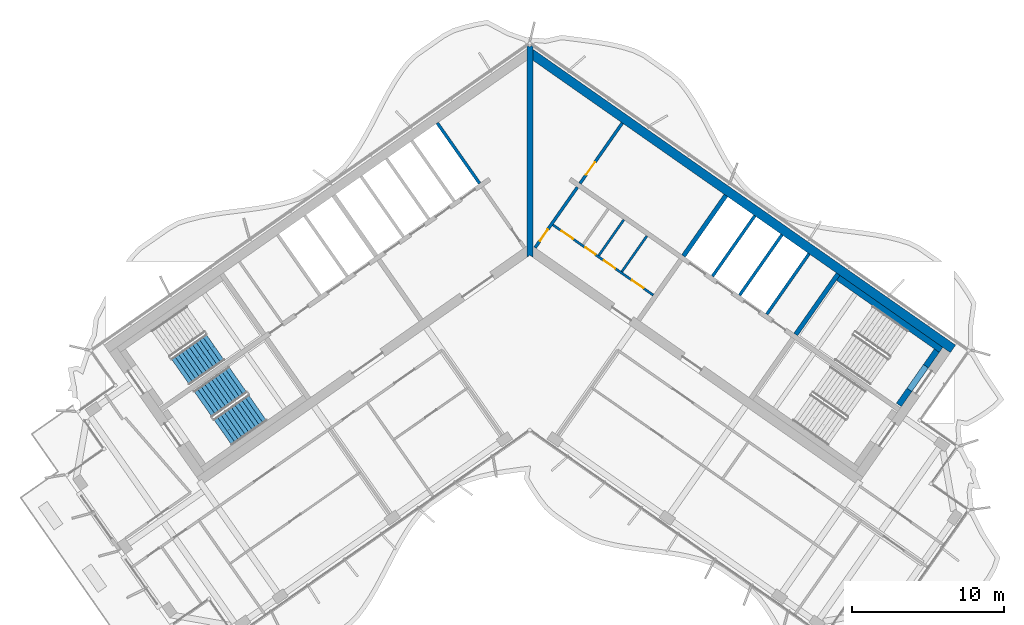
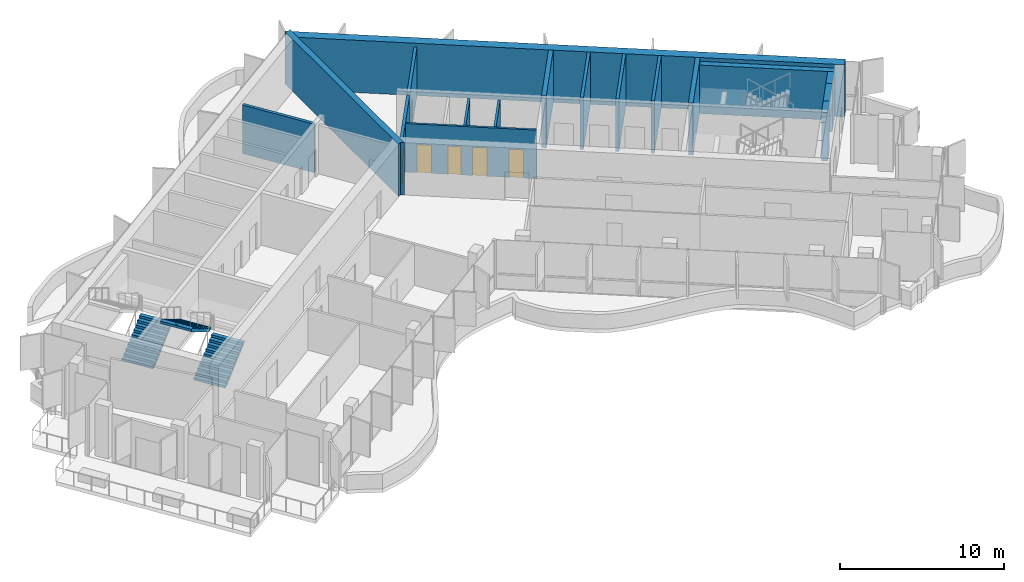
# One storey, part 11 of 18: 17 walls, 6 doors, 3 stair flights, 6 openings, 2 elements without a shape of their own.
"""IFC4 building model written with IfcOpenShell, lengths in metres."""

import ifcopenshell
import ifcopenshell.guid

model = None  # the IFC model being written
_history = None  # IfcOwnerHistory: only IFC2X3 demands one
_inside = {}  # id of a spatial element -> (the spatial element, [elements in it])
_under = {}  # id of a project, library or spatial element -> (it, [spatial elements below it])
_declared = {}  # id of a project -> (the project, [libraries it declares])
_typed = {}  # id of a type object -> (the type object, [elements of that type])
_made_of = {}  # id of a material, layer set ... -> (it, [elements and type objects made of it])


def new_model(schema):
    """Start an empty IFC model of exactly this schema.

    Asked for "IFC4X3", IfcOpenShell would pick the latest addendum, in which some entities
    have other attributes; the version numbers below select the first issue.
    IFC2X3 requires an IfcOwnerHistory on every rooted entity: one is made here for all.
    """
    global model, _history
    if schema == "IFC4X3":
        model = ifcopenshell.file(schema_version=(4, 3, 0, 0))
    else:
        model = ifcopenshell.file(schema=schema)
    _inside.clear()
    _under.clear()
    _declared.clear()
    _typed.clear()
    _made_of.clear()
    _history = None
    if model.schema == "IFC2X3":
        org = make("IfcOrganization", Name="unknown")
        user = make(
            "IfcPersonAndOrganization",
            ThePerson=make("IfcPerson", FamilyName="unknown"),
            TheOrganization=org,
        )
        app = make(
            "IfcApplication",
            ApplicationDeveloper=org,
            Version="unknown",
            ApplicationFullName="unknown",
            ApplicationIdentifier="unknown",
        )
        _history = make(
            "IfcOwnerHistory",
            OwningUser=user,
            OwningApplication=app,
            ChangeAction="ADDED",
            CreationDate=0,
        )
    return model


def make(cls, **values):
    """One entity of the class cls with the attributes given. An attribute that is None is left unset."""
    return model.create_entity(
        cls, **{name: value for name, value in values.items() if value is not None}
    )


def rooted(cls, **values):
    """An entity with a GlobalId (a new one), such as an element, a storey or a relation."""
    return make(cls, GlobalId=ifcopenshell.guid.new(), OwnerHistory=_history, **values)


def si_unit(unit_type, name, prefix=None):
    """IfcSIUnit, for example si_unit("LENGTHUNIT", "METRE", prefix="MILLI")."""
    return make("IfcSIUnit", UnitType=unit_type, Prefix=prefix, Name=name)


def assignment(units):
    """IfcUnitAssignment: the units of a project."""
    return None if units is None else make("IfcUnitAssignment", Units=units)


def point(xyz):
    """IfcCartesianPoint."""
    return None if xyz is None else make("IfcCartesianPoint", Coordinates=xyz)


def direction(xyz):
    """IfcDirection."""
    return None if xyz is None else make("IfcDirection", DirectionRatios=xyz)


def frame(location, z_axis=None, x_axis=None):
    """IfcAxis2Placement3D, a coordinate frame: its origin and axes. An axis left out is left unset."""
    return make(
        "IfcAxis2Placement3D",
        Location=point(location),
        Axis=direction(z_axis),
        RefDirection=direction(x_axis),
    )


def frame_2d(location, x_axis=None):
    """IfcAxis2Placement2D, a coordinate frame in the plane: its origin and x axis."""
    return make(
        "IfcAxis2Placement2D", Location=point(location), RefDirection=direction(x_axis)
    )


def origin():
    """The frame at (0, 0, 0) with its axes left unset."""
    return frame((0.0, 0.0, 0.0))


def place(relative_to, where):
    """IfcLocalPlacement: puts the frame where relative to a parent placement (None: the world)."""
    return make(
        "IfcLocalPlacement", PlacementRelTo=relative_to, RelativePlacement=where
    )


def context(
    kind, dimensions, precision=None, world=None, true_north=None, identifier=None
):
    """IfcGeometricRepresentationContext, for example the 3D "Model" context."""
    return make(
        "IfcGeometricRepresentationContext",
        ContextIdentifier=identifier,
        ContextType=kind,
        CoordinateSpaceDimension=dimensions,
        Precision=precision,
        WorldCoordinateSystem=world,
        TrueNorth=true_north,
    )


def subcontext(parent, identifier, kind, view, scale=None):
    """IfcGeometricRepresentationSubContext, for example "Body" below "Model"."""
    return make(
        "IfcGeometricRepresentationSubContext",
        ContextIdentifier=identifier,
        ContextType=kind,
        ParentContext=parent,
        TargetScale=scale,
        TargetView=view,
    )


def project(units=None, contexts=None):
    """IfcProject with its units and contexts."""
    return rooted(
        "IfcProject",
        Name="project",
        RepresentationContexts=contexts,
        UnitsInContext=assignment(units),
    )


def spatial(cls, under=None, at=None, **own):
    """A site, building, storey or space (cls), placed at a placement, below another one or the project."""
    s = rooted(cls, ObjectPlacement=at, **own)
    if under is not None:
        _under.setdefault(under.id(), (under, []))[1].append(s)
    return s


def polyline(points):
    """IfcPolyline through the points."""
    return make("IfcPolyline", Points=[point(p) for p in points])


def profile(cls, at=None, kind="AREA", **sizes):
    """A parametric profile (cls). Its sizes go by their IFC names, for example OverallWidth=200.0."""
    return make(cls, ProfileType=kind, Position=at, **sizes)


def rectangle(**sizes):
    """IfcRectangleProfileDef."""
    return profile("IfcRectangleProfileDef", **sizes)


def outline(outer, holes=None, kind="AREA"):
    """IfcArbitraryClosedProfileDef: a profile drawn as a closed curve; with holes, ...WithVoids."""
    if holes is None:
        return make("IfcArbitraryClosedProfileDef", ProfileType=kind, OuterCurve=outer)
    return make(
        "IfcArbitraryProfileDefWithVoids",
        ProfileType=kind,
        OuterCurve=outer,
        InnerCurves=holes,
    )


def extrude(swept, where, along, depth):
    """IfcExtrudedAreaSolid: the profile swept, set in the frame where, extruded along a direction by depth."""
    return make(
        "IfcExtrudedAreaSolid",
        SweptArea=swept,
        Position=where,
        ExtrudedDirection=direction(along),
        Depth=depth,
    )


def shape(context_of_items, identifier, shape_type, items):
    """IfcShapeRepresentation: the items that make up one representation, for example the "Body"."""
    return make(
        "IfcShapeRepresentation",
        ContextOfItems=context_of_items,
        RepresentationIdentifier=identifier,
        RepresentationType=shape_type,
        Items=items,
    )


def material(Name=None, Category=None):
    """IfcMaterial."""
    return make("IfcMaterial", Name=Name, Category=Category)


def layer(
    of_material, thickness, ventilated=None, Name=None, Category=None, Priority=None
):
    """IfcMaterialLayer: one layer of a wall or slab, of a material (None: an air gap)."""
    return make(
        "IfcMaterialLayer",
        Material=of_material,
        LayerThickness=thickness,
        IsVentilated=ventilated,
        Name=Name,
        Category=Category,
        Priority=Priority,
    )


def layer_set(layers, Name=None):
    """IfcMaterialLayerSet."""
    return make("IfcMaterialLayerSet", MaterialLayers=layers, LayerSetName=Name)


def made_of(thing, what):
    """Note that an element or type object is made of a material, layer set ...; save() writes the relation."""
    if what is not None:
        _made_of.setdefault(what.id(), (what, []))[1].append(thing)
    return thing


def type_object(cls, material=None, **own):
    """A type object (cls), such as IfcWallType, which elements share."""
    return made_of(rooted(cls, **own), material)


def element(
    cls,
    number,
    at=None,
    inside=None,
    cuts=None,
    type_object=None,
    material=None,
    context=None,
    identifier="Body",
    shape_type=None,
    held_by="IfcProductDefinitionShape",
    body=None,
    shapes=None,
    **own,
):
    """One element of the class cls, such as IfcWall. Its Tag is "e" and its number.

    at: its placement. inside: the storey or other place that contains it. cuts: it is an
    opening in that element (IfcRelVoidsElement). A single representation is given by context,
    identifier, shape_type and body (its items); several are given by shapes. held_by: the class
    of the entity that holds the representations. save() writes the other relations.
    """
    e = rooted(cls, Tag="e%d" % number, ObjectPlacement=at, **own)
    if body is not None:
        shapes = [shape(context, identifier, shape_type, body)]
    if shapes is not None:
        e.Representation = make(held_by, Representations=shapes)
    if inside is not None:
        _inside.setdefault(inside.id(), (inside, []))[1].append(e)
    if cuts is not None:
        rooted(
            "IfcRelVoidsElement", RelatingBuildingElement=cuts, RelatedOpeningElement=e
        )
    if type_object is not None:
        _typed.setdefault(type_object.id(), (type_object, []))[1].append(e)
    return made_of(e, material)


def fill(opening, filler):
    """IfcRelFillsElement: the door or window that sits in an opening."""
    return rooted(
        "IfcRelFillsElement",
        RelatingOpeningElement=opening,
        RelatedBuildingElement=filler,
    )


def aggregate(whole, parts):
    """IfcRelAggregates: a whole, such as a stair, and the parts it consists of."""
    return rooted("IfcRelAggregates", RelatingObject=whole, RelatedObjects=parts)


def save(model, path):
    """Write the relations noted so far, then the file.

    IfcRelAggregates (storeys below a building ...), IfcRelContainedInSpatialStructure (elements
    in a storey), IfcRelDefinesByType, IfcRelAssociatesMaterial and IfcRelDeclares: one each for
    every whole, place, type object, material and project.
    """
    for whole, parts in _under.values():
        aggregate(whole, parts)
    for where, things in _inside.values():
        rooted(
            "IfcRelContainedInSpatialStructure",
            RelatedElements=things,
            RelatingStructure=where,
        )
    for kind, things in _typed.values():
        rooted("IfcRelDefinesByType", RelatedObjects=things, RelatingType=kind)
    for what, things in _made_of.values():
        rooted("IfcRelAssociatesMaterial", RelatedObjects=things, RelatingMaterial=what)
    for by, libraries in _declared.values():
        rooted("IfcRelDeclares", RelatingContext=by, RelatedDefinitions=libraries)
    model.write(path)


model = new_model("IFC4")

# Units and contexts
model_context = context("Model", 3, precision=1e-05, world=origin(), true_north=direction((0.0, 1.0)))
body_context = subcontext(model_context, "Body", "Model", "MODEL_VIEW")
ifc_project = project(units=[si_unit("LENGTHUNIT", "METRE"), si_unit("AREAUNIT", "SQUARE_METRE"), si_unit("VOLUMEUNIT", "CUBIC_METRE"), si_unit("PLANEANGLEUNIT", "RADIAN"), si_unit("MASSUNIT", "GRAM", prefix="KILO")], contexts=[model_context])

# Site, building, storey
site_placement = place(None, origin())
site = spatial("IfcSite", under=ifc_project, at=site_placement, CompositionType="ELEMENT")
building_placement = place(site_placement, origin())
building = spatial("IfcBuilding", under=site, at=building_placement, Name="Tel Ilan Convention Tower", CompositionType="ELEMENT")
storey_placement = place(building_placement, frame((0.0, 0.0, 295.60009765625)))
storey = spatial("IfcBuildingStorey", under=building, at=storey_placement, Name="L70", CompositionType="ELEMENT", Elevation=295.60009765625)

# Wall, openings, doors
ifc_material_1 = material(Name="Gypsum Plasterboard on Steel Stud", Category="steel")
ifc_layer_1 = layer(ifc_material_1, 0.14990234375)
ifc_layer_set_1 = layer_set([ifc_layer_1], Name="Core Room Partition Wall 150 mm EI 60")
wall_type_1 = type_object("IfcWallType", Name="Core Room Partition Wall 150 mm EI 60", PredefinedType="PARTITIONING", material=ifc_layer_set_1)
wall_1_placement = place(storey_placement, frame((1.515625, 0.77001953125, 0.0), z_axis=(0.0, 0.0, 1.0), x_axis=(0.819146424436, -0.573584462249, 0.0)))
wall_1 = element("IfcWall", 1, at=wall_1_placement, inside=storey, type_object=wall_type_1, Name="L70 core wall wc-h1", PredefinedType="PARTITIONING", context=body_context, shape_type="SweptSolid", body=[
    extrude(rectangle(XDim=8.050048828125, YDim=0.14990234375, at=frame_2d((4.02490234375, 0.0))), origin(), (0.0, 0.0, 1.0), 3.619873046875),
])
opening_1_placement = place(wall_1_placement, frame((0.699951171875, 0.0, 0.0)))
opening_1 = element("IfcOpeningElement", 2, at=opening_1_placement, cuts=wall_1, Name="Opening CD5313", PredefinedType="OPENING", context=body_context, shape_type="SweptSolid", body=[
    extrude(rectangle(XDim=0.89990234375, YDim=2.10009765625, at=frame_2d((0.449951171875, 1.050048828125))), frame((0.0, 0.0849609375, 0.0), z_axis=(0.0, -1.0, 0.0), x_axis=(1.0, 0.0, 0.0)), (0.0, 0.0, 1.0), 0.169921875),
])
opening_2_placement = place(wall_1_placement, frame((2.60009765625, 0.0, 0.0)))
opening_2 = element("IfcOpeningElement", 3, at=opening_2_placement, cuts=wall_1, Name="Opening CD5312", PredefinedType="OPENING", context=body_context, shape_type="SweptSolid", body=[
    extrude(rectangle(XDim=0.800048828125, YDim=2.10009765625, at=frame_2d((0.39990234375, 1.050048828125))), frame((0.0, 0.0849609375, 0.0), z_axis=(0.0, -1.0, 0.0), x_axis=(1.0, 0.0, 0.0)), (0.0, 0.0, 1.0), 0.169921875),
])
opening_3_placement = place(wall_1_placement, frame((4.10009765625, 0.0, 0.0)))
opening_3 = element("IfcOpeningElement", 4, at=opening_3_placement, cuts=wall_1, Name="Opening CD5311", PredefinedType="OPENING", context=body_context, shape_type="SweptSolid", body=[
    extrude(rectangle(XDim=0.89990234375, YDim=2.10009765625, at=frame_2d((0.449951171875, 1.050048828125))), frame((0.0, 0.0849609375, 0.0), z_axis=(0.0, -1.0, 0.0), x_axis=(1.0, 0.0, 0.0)), (0.0, 0.0, 1.0), 0.169921875),
])
opening_4_placement = place(wall_1_placement, frame((6.35009765625, 0.0, 0.0)))
opening_4 = element("IfcOpeningElement", 5, at=opening_4_placement, cuts=wall_1, Name="Opening CD5314", PredefinedType="OPENING", context=body_context, shape_type="SweptSolid", body=[
    extrude(rectangle(XDim=0.89990234375, YDim=2.10009765625, at=frame_2d((0.449951171875, 1.050048828125))), frame((0.0, 0.0849609375, 0.0), z_axis=(0.0, -1.0, 0.0), x_axis=(1.0, 0.0, 0.0)), (0.0, 0.0, 1.0), 0.169921875),
])
ifc_material_2 = material(Name="Galvanised Steel Door Leaf", Category="steel")
door_type_1 = type_object("IfcDoorType", Name="Store Door 800 x 2100 FD60", OperationType="NOTDEFINED", PredefinedType="DOOR", material=ifc_material_2)
door_1_placement = place(opening_2_placement, origin())
door_1 = element("IfcDoor", 6, at=door_1_placement, inside=storey, type_object=door_type_1, Name="Cleaner's store door", OperationType="SINGLE_SWING_RIGHT", OverallHeight=2.10009765625, OverallWidth=0.800048828125, PredefinedType="DOOR", context=body_context, shape_type="SweptSolid", body=[
    extrude(rectangle(XDim=0.800048828125, YDim=2.10009765625, at=frame_2d((0.39990234375, 1.050048828125))), frame((0.0, 0.02490234375, 0.0), z_axis=(0.0, -1.0, 0.0), x_axis=(1.0, 0.0, 0.0)), (0.0, 0.0, 1.0), 0.050048828125),
])
fill(opening_2, door_1)
ifc_material_3 = material(Name="Laminated Timber Door Leaf", Category="wood")
door_type_2 = type_object("IfcDoorType", Name="Toilet Door 900 x 2100 FD30S", OperationType="NOTDEFINED", PredefinedType="DOOR", material=ifc_material_3)
door_2_placement = place(opening_1_placement, origin())
door_2 = element("IfcDoor", 7, at=door_2_placement, inside=storey, type_object=door_type_2, Name="Men's WC door", OperationType="SINGLE_SWING_RIGHT", OverallHeight=2.10009765625, OverallWidth=0.89990234375, PredefinedType="DOOR", context=body_context, shape_type="SweptSolid", body=[
    extrude(rectangle(XDim=0.89990234375, YDim=2.10009765625, at=frame_2d((0.449951171875, 1.050048828125))), frame((0.0, 0.02490234375, 0.0), z_axis=(0.0, -1.0, 0.0), x_axis=(1.0, 0.0, 0.0)), (0.0, 0.0, 1.0), 0.050048828125),
])
fill(opening_1, door_2)
door_3_placement = place(opening_3_placement, origin())
door_3 = element("IfcDoor", 8, at=door_3_placement, inside=storey, type_object=door_type_2, Name="Accessible WC door", OperationType="SINGLE_SWING_RIGHT", OverallHeight=2.10009765625, OverallWidth=0.89990234375, PredefinedType="DOOR", context=body_context, shape_type="SweptSolid", body=[
    extrude(rectangle(XDim=0.89990234375, YDim=2.10009765625, at=frame_2d((0.449951171875, 1.050048828125))), frame((0.0, 0.02490234375, 0.0), z_axis=(0.0, -1.0, 0.0), x_axis=(1.0, 0.0, 0.0)), (0.0, 0.0, 1.0), 0.050048828125),
])
fill(opening_3, door_3)
door_4_placement = place(opening_4_placement, origin())
door_4 = element("IfcDoor", 9, at=door_4_placement, inside=storey, type_object=door_type_2, Name="Women's WC door", OperationType="SINGLE_SWING_RIGHT", OverallHeight=2.10009765625, OverallWidth=0.89990234375, PredefinedType="DOOR", context=body_context, shape_type="SweptSolid", body=[
    extrude(rectangle(XDim=0.89990234375, YDim=2.10009765625, at=frame_2d((0.449951171875, 1.050048828125))), frame((0.0, 0.02490234375, 0.0), z_axis=(0.0, -1.0, 0.0), x_axis=(1.0, 0.0, 0.0)), (0.0, 0.0, 1.0), 0.050048828125),
])
fill(opening_4, door_4)

# Walls
wall_2_placement = place(storey_placement, frame((4.528076171875, -1.247802734375, 0.0), z_axis=(0.0, 0.0, 1.0), x_axis=(0.573621911162, 0.819120200602, 0.0)))
element("IfcWall", 10, at=wall_2_placement, inside=storey, type_object=wall_type_1, Name="L70 core wall wc-v1", PredefinedType="PARTITIONING", context=body_context, shape_type="SweptSolid", body=[
    extrude(rectangle(XDim=2.875, YDim=0.14990234375, at=frame_2d((1.4375, 0.0))), origin(), (0.0, 0.0, 1.0), 3.619873046875),
])
wall_3_placement = place(storey_placement, frame((6.043701171875, -2.30908203125, 0.0), z_axis=(0.0, 0.0, 1.0), x_axis=(0.573564930514, 0.819160100642, 0.0)))
element("IfcWall", 11, at=wall_3_placement, inside=storey, type_object=wall_type_1, Name="L70 core wall wc-v2", PredefinedType="PARTITIONING", context=body_context, shape_type="SweptSolid", body=[
    extrude(rectangle(XDim=2.874755859375, YDim=0.14990234375, at=frame_2d((1.4375, 0.0))), origin(), (0.0, 0.0, 1.0), 3.619873046875),
])
ifc_material_4 = material(Name="Concrete C30/37", Category="concrete")
ifc_layer_2 = layer(ifc_material_4, 0.199951171875)
ifc_layer_set_2 = layer_set([ifc_layer_2], Name="Core Service Room Wall 200 mm C30/37")
wall_type_2 = type_object("IfcWallType", Name="Core Service Room Wall 200 mm C30/37", PredefinedType="SOLIDWALL", material=ifc_layer_set_2)
wall_4_placement = place(storey_placement, frame((-3.2978515625, 3.489501953125, 0.0), z_axis=(0.0, 0.0, 1.0), x_axis=(-0.573560315113, 0.819163332265, 0.0)))
element("IfcWall", 12, at=wall_4_placement, inside=storey, type_object=wall_type_2, Name="L70 core wall apex-W-b", PredefinedType="SOLIDWALL", context=body_context, shape_type="SweptSolid", body=[
    extrude(rectangle(XDim=4.849853515625, YDim=0.199951171875, at=frame_2d((2.4248046875, 0.0))), origin(), (0.0, 0.0, 1.0), 3.619873046875),
])

# Wall, opening, door
wall_5_placement = place(storey_placement, frame((0.343994140625, -0.729248046875, 0.0), z_axis=(0.0, 0.0, 1.0), x_axis=(0.573560315113, 0.819163332265, 0.0)))
wall_5 = element("IfcWall", 13, at=wall_5_placement, inside=storey, type_object=wall_type_2, Name="L70 core wall apex-E", PredefinedType="SOLIDWALL", context=body_context, shape_type="SweptSolid", body=[
    extrude(rectangle(XDim=4.849853515625, YDim=0.199951171875, at=frame_2d((2.4248046875, 0.0))), origin(), (0.0, 0.0, 1.0), 3.619873046875),
])
opening_5_placement = place(wall_5_placement, frame((0.550048828125, 0.0, 0.0)))
opening_5 = element("IfcOpeningElement", 14, at=opening_5_placement, cuts=wall_5, Name="Opening CD5301", PredefinedType="OPENING", context=body_context, shape_type="SweptSolid", body=[
    extrude(rectangle(XDim=0.89990234375, YDim=2.10009765625, at=frame_2d((0.449951171875, 1.050048828125))), frame((0.0, 0.10986328125, 0.0), z_axis=(0.0, -1.0, 0.0), x_axis=(1.0, 0.0, 0.0)), (0.0, 0.0, 1.0), 0.219970703125),
])
ifc_material_5 = material(Name="Galvanised Steel Door Leaf", Category="steel")
door_type_3 = type_object("IfcDoorType", Name="Service Room Door 900 x 2100 FD60", OperationType="NOTDEFINED", PredefinedType="DOOR", material=ifc_material_5)
door_5_placement = place(opening_5_placement, origin())
door_5 = element("IfcDoor", 15, at=door_5_placement, inside=storey, type_object=door_type_3, Name="Electrical Room door", OperationType="SINGLE_SWING_RIGHT", OverallHeight=2.10009765625, OverallWidth=0.89990234375, PredefinedType="DOOR", context=body_context, shape_type="SweptSolid", body=[
    extrude(rectangle(XDim=0.89990234375, YDim=2.10009765625, at=frame_2d((0.449951171875, 1.050048828125))), frame((0.0, 0.02490234375, 0.0), z_axis=(0.0, -1.0, 0.0), x_axis=(1.0, 0.0, 0.0)), (0.0, 0.0, 1.0), 0.050048828125),
])
fill(opening_5, door_5)

wall_6_placement = place(storey_placement, frame((3.2978515625, 3.489501953125, 0.0), z_axis=(0.0, 0.0, 1.0), x_axis=(0.573560315113, 0.819163332265, 0.0)))
wall_6 = element("IfcWall", 16, at=wall_6_placement, inside=storey, type_object=wall_type_2, Name="L70 core wall apex-E-b", PredefinedType="SOLIDWALL", context=body_context, shape_type="SweptSolid", body=[
    extrude(rectangle(XDim=4.849853515625, YDim=0.199951171875, at=frame_2d((2.4248046875, 0.0))), origin(), (0.0, 0.0, 1.0), 3.619873046875),
])
opening_6_placement = place(wall_6_placement, frame((0.699951171875, 0.0, 0.0)))
opening_6 = element("IfcOpeningElement", 17, at=opening_6_placement, cuts=wall_6, Name="Opening CD5303", PredefinedType="OPENING", context=body_context, shape_type="SweptSolid", body=[
    extrude(rectangle(XDim=1.0, YDim=2.10009765625, at=frame_2d((0.5, 1.050048828125))), frame((0.0, 0.10986328125, 0.0), z_axis=(0.0, -1.0, 0.0), x_axis=(1.0, 0.0, 0.0)), (0.0, 0.0, 1.0), 0.219970703125),
])
ifc_material_6 = material(Name="Galvanised Steel Door Leaf", Category="steel")
door_type_4 = type_object("IfcDoorType", Name="Service Room Door 1000 x 2100 FD60", OperationType="NOTDEFINED", PredefinedType="DOOR", material=ifc_material_6)
door_6_placement = place(opening_6_placement, origin())
door_6 = element("IfcDoor", 18, at=door_6_placement, inside=storey, type_object=door_type_4, Name="Plant Room door", OperationType="SINGLE_SWING_RIGHT", OverallHeight=2.10009765625, OverallWidth=1.0, PredefinedType="DOOR", context=body_context, shape_type="SweptSolid", body=[
    extrude(rectangle(XDim=1.0, YDim=2.10009765625, at=frame_2d((0.5, 1.050048828125))), frame((0.0, 0.02490234375, 0.0), z_axis=(0.0, -1.0, 0.0), x_axis=(1.0, 0.0, 0.0)), (0.0, 0.0, 1.0), 0.050048828125),
])
fill(opening_6, door_6)

# Walls
ifc_material_7 = material(Name="Concrete C40/50", Category="concrete")
ifc_layer_3 = layer(ifc_material_7, 0.300048828125)
ifc_layer_set_3 = layer_set([ifc_layer_3], Name="Core Shear Wall 300 mm C40/50")
wall_type_3 = type_object("IfcWallType", Name="Core Shear Wall 300 mm C40/50", PredefinedType="SHEAR", material=ifc_layer_set_3)
wall_7_placement = place(storey_placement, frame((10.096923828125, -1.271240234375, 0.0), z_axis=(0.0, 0.0, 1.0), x_axis=(0.573560315113, 0.819163332265, 0.0)))
element("IfcWall", 19, at=wall_7_placement, inside=storey, type_object=wall_type_3, Name="L70 core wall E-cross1-2", PredefinedType="SHEAR", context=body_context, shape_type="SweptSolid", body=[
    extrude(outline(polyline([(4.849853515625, -0.150146484375), (4.849853515625, 0.14990234375), (0.0, 0.150146484375), (0.0, -0.14990234375), (4.849853515625, -0.150146484375)])), origin(), (0.0, 0.0, 1.0), 3.89990234375),
])
wall_8_placement = place(storey_placement, frame((17.46923828125, -6.433349609375, 0.0), z_axis=(0.0, 0.0, 1.0), x_axis=(0.573594092424, 0.81913968109, 0.0)))
element("IfcWall", 20, at=wall_8_placement, inside=storey, type_object=wall_type_3, Name="L70 core wall E-cross2-2", PredefinedType="SHEAR", context=body_context, shape_type="SweptSolid", body=[
    extrude(outline(polyline([(4.849853515625, -0.14990234375), (4.849853515625, 0.150146484375), (0.0, 0.14990234375), (0.0, -0.14990234375), (4.849853515625, -0.14990234375)])), origin(), (0.0, 0.0, 1.0), 3.89990234375),
])
ifc_material_8 = material(Name="Concrete C40/50", Category="concrete")
ifc_layer_4 = layer(ifc_material_8, 0.39990234375)
ifc_layer_set_4 = layer_set([ifc_layer_4], Name="Core Shear Wall 400 mm C40/50")
wall_type_4 = type_object("IfcWallType", Name="Core Shear Wall 400 mm C40/50", PredefinedType="SHEAR", material=ifc_layer_set_4)
wall_9_placement = place(storey_placement, frame((0.0, -1.36083984375, 0.0), z_axis=(0.0, 0.0, 1.0), x_axis=(0.0, 1.0, 0.0)))
element("IfcWall", 21, at=wall_9_placement, inside=storey, type_object=wall_type_4, Name="L70 core wall K-central", PredefinedType="SHEAR", context=body_context, shape_type="SweptSolid", body=[
    extrude(outline(polyline([(0.14013671875, 0.199951171875), (0.0, 0.199951171875), (0.14013671875, 0.0), (0.0, -0.199951171875), (0.14013671875, -0.199951171875), (1.012451171875, -0.199951171875), (12.940185546875, -0.199951171875), (13.812744140625, -0.199951171875), (13.893310546875, -0.199951171875), (13.933349609375, -0.172119140625), (13.812744140625, 0.0), (13.933349609375, 0.172119140625), (13.893310546875, 0.199951171875), (13.812744140625, 0.199951171875), (12.940185546875, 0.199951171875), (1.012451171875, 0.199951171875), (0.14013671875, 0.199951171875)])), origin(), (0.0, 0.0, 1.0), 3.89990234375),
])
ifc_material_9 = material(Name="Concrete C40/50", Category="concrete")
ifc_layer_5 = layer(ifc_material_9, 0.60009765625)
ifc_layer_set_5 = layer_set([ifc_layer_5], Name="Core Shear Wall 600 mm C40/50")
wall_type_5 = type_object("IfcWallType", Name="Core Shear Wall 600 mm C40/50", PredefinedType="SHEAR", material=ifc_layer_set_5)
wall_10_placement = place(storey_placement, frame((0.02783203125, 12.066162109375, 0.0), z_axis=(0.0, 0.0, 1.0), x_axis=(0.819151382952, -0.573577380837, 0.0)))
element("IfcWall", 22, at=wall_10_placement, inside=storey, type_object=wall_type_5, Name="L70 core wall E-back", PredefinedType="SHEAR", context=body_context, shape_type="SweptSolid", body=[
    extrude(outline(polyline([(33.898193359375, 0.300048828125), (0.0, 0.300048828125), (0.420166015625, -0.300048828125), (33.89794921875, -0.300048828125), (33.898193359375, 0.300048828125)])), origin(), (0.0, 0.0, 1.0), 3.89990234375),
])
ifc_material_10 = material(Name="Concrete C30/37", Category="concrete")
ifc_layer_6 = layer(ifc_material_10, 0.199951171875)
ifc_layer_set_6 = layer_set([ifc_layer_6], Name="Lift Shaft Wall 200 mm C30/37")
wall_type_6 = type_object("IfcWallType", Name="Lift Shaft Wall 200 mm C30/37", PredefinedType="SOLIDWALL", material=ifc_layer_set_6)
wall_11_placement = place(storey_placement, frame((12.00146484375, -2.604736328125, 0.0), z_axis=(0.0, 0.0, 1.0), x_axis=(0.573560315113, 0.819163332265, 0.0)))
element("IfcWall", 23, at=wall_11_placement, inside=storey, type_object=wall_type_6, Name="L70 core wall bank-E2-p0", PredefinedType="SOLIDWALL", context=body_context, shape_type="SweptSolid", body=[
    extrude(rectangle(XDim=4.849853515625, YDim=0.199951171875, at=frame_2d((2.4248046875, 0.0))), origin(), (0.0, 0.0, 1.0), 3.89990234375),
])
wall_12_placement = place(storey_placement, frame((13.782958984375, -3.852294921875, 0.0), z_axis=(0.0, 0.0, 1.0), x_axis=(0.573594092424, 0.81913968109, 0.0)))
element("IfcWall", 24, at=wall_12_placement, inside=storey, type_object=wall_type_6, Name="L70 core wall bank-E2-p1", PredefinedType="SOLIDWALL", context=body_context, shape_type="SweptSolid", body=[
    extrude(rectangle(XDim=4.85009765625, YDim=0.199951171875, at=frame_2d((2.425048828125, 0.0))), origin(), (0.0, 0.0, 1.0), 3.89990234375),
])
wall_13_placement = place(storey_placement, frame((15.564697265625, -5.099853515625, 0.0), z_axis=(0.0, 0.0, 1.0), x_axis=(0.573560315113, 0.819163332265, 0.0)))
element("IfcWall", 25, at=wall_13_placement, inside=storey, type_object=wall_type_6, Name="L70 core wall bank-E2-p2", PredefinedType="SOLIDWALL", context=body_context, shape_type="SweptSolid", body=[
    extrude(rectangle(XDim=4.849853515625, YDim=0.199951171875, at=frame_2d((2.4248046875, 0.0))), origin(), (0.0, 0.0, 1.0), 3.89990234375),
])
ifc_material_11 = material(Name="Concrete C30/37", Category="concrete")
ifc_layer_7 = layer(ifc_material_11, 0.39990234375)
ifc_layer_set_7 = layer_set([ifc_layer_7], Name="Stair and Shaft Lining Wall 400 mm C30/37")
wall_type_7 = type_object("IfcWallType", Name="Stair and Shaft Lining Wall 400 mm C30/37", PredefinedType="SOLIDWALL", material=ifc_layer_set_7)
wall_14_placement = place(storey_placement, frame((20.25927734375, -2.71044921875, 0.0), z_axis=(0.0, 0.0, 1.0), x_axis=(0.81914849389, -0.573581506813, 0.0)))
element("IfcWall", 26, at=wall_14_placement, inside=storey, type_object=wall_type_7, Name="L70 core wall lining-S3-t1", PredefinedType="SOLIDWALL", context=body_context, shape_type="SweptSolid", body=[
    extrude(rectangle(XDim=8.249755859375, YDim=0.39990234375, at=frame_2d((4.125, 0.0))), origin(), (0.0, 0.0, 1.0), 3.619873046875),
])
wall_15_placement = place(storey_placement, frame((24.24365234375, -11.0546875, 0.0), z_axis=(0.0, 0.0, 1.0), x_axis=(0.573571582932, 0.819155442668, 0.0)))
element("IfcWall", 27, at=wall_15_placement, inside=storey, type_object=wall_type_7, Name="L70 core wall lining-S3-u1-0", PredefinedType="SOLIDWALL", context=body_context, shape_type="SweptSolid", body=[
    extrude(rectangle(XDim=1.199951171875, YDim=0.39990234375, at=frame_2d((0.60009765625, 0.0))), origin(), (0.0, 0.0, 1.0), 3.619873046875),
])
wall_16_placement = place(storey_placement, frame((26.021728515625, -8.515380859375, 0.0), z_axis=(0.0, 0.0, 1.0), x_axis=(0.573619628835, 0.819121798889, 0.0)))
element("IfcWall", 28, at=wall_16_placement, inside=storey, type_object=wall_type_7, Name="L70 core wall lining-S3-u1-1", PredefinedType="SOLIDWALL", context=body_context, shape_type="SweptSolid", body=[
    extrude(rectangle(XDim=1.25, YDim=0.39990234375, at=frame_2d((0.625, 0.0))), origin(), (0.0, 0.0, 1.0), 3.619873046875),
])
wall_17_placement = place(storey_placement, frame((24.931884765625, -10.07177734375, 2.14990234375), z_axis=(0.0, 0.0, 1.0), x_axis=(0.573591692345, 0.819141361715, 0.0)))
element("IfcWall", 29, at=wall_17_placement, inside=storey, type_object=wall_type_7, Name="L70 core wall lining-S3-u1-lintel", PredefinedType="SOLIDWALL", context=body_context, shape_type="SweptSolid", body=[
    extrude(rectangle(XDim=1.900146484375, YDim=0.39990234375, at=frame_2d((0.9501953125, 0.0))), origin(), (0.0, 0.0, 1.0), 1.469970703125),
])

# Stair, stair flight
ifc_material_12 = material(Name="Concrete C40/50", Category="concrete")
stair_type = type_object("IfcStairType", Name="Pressurised Exit Stair 22 risers 177 mm", PredefinedType="HALF_TURN_STAIR", material=ifc_material_12)
stair_1_placement = place(storey_placement, origin())
stair_1 = element("IfcStair", 30, at=stair_1_placement, inside=storey, type_object=stair_type, Name="L70 Pressurised Stair S1", PredefinedType="HALF_TURN_STAIR")
ifc_material_13 = material(Name="Precast Concrete C40/50", Category="concrete")
stair_flight_type = type_object("IfcStairFlightType", Name="Concrete Stair Flight 2100 mm 22 risers 177 mm", PredefinedType="STRAIGHT", material=ifc_material_13)
stair_flight_1_placement = place(storey_placement, frame((-22.9619140625, -8.87548828125, 0.0), z_axis=(0.0, 0.0, 1.0), x_axis=(0.819152044289, 0.573576436351, 0.0)))
stair_flight_1 = element("IfcStairFlight", 31, at=stair_flight_1_placement, type_object=stair_flight_type, Name="S1 flight 1", NumberOfRisers=11, NumberOfTreads=10, PredefinedType="STRAIGHT", RiserHeight=0.177272727, TreadLength=0.28, context=body_context, shape_type="SweptSolid", body=[
    extrude(outline(polyline([(0.0, 0.0), (0.0, 0.17724609375), (0.280029296875, 0.17724609375), (0.280029296875, 0.3544921875), (0.56005859375, 0.3544921875), (0.56005859375, 0.53173828125), (0.840087890625, 0.53173828125), (0.840087890625, 0.708984375), (1.1201171875, 0.708984375), (1.1201171875, 0.886474609375), (1.39990234375, 0.886474609375), (1.39990234375, 1.063720703125), (1.679931640625, 1.063720703125), (1.679931640625, 1.240966796875), (1.9599609375, 1.240966796875), (1.9599609375, 1.418212890625), (2.239990234375, 1.418212890625), (2.239990234375, 1.595458984375), (2.52001953125, 1.595458984375), (2.52001953125, 1.772705078125), (2.800048828125, 1.772705078125), (2.800048828125, 1.949951171875), (2.800048828125, 1.59521484375), (0.2802734375, 0.0), (0.0, 0.0)])), frame((0.0, -0.100341796875, 0.0), z_axis=(0.0, -1.0, 0.0), x_axis=(1.0, 0.0, 0.0)), (0.0, 0.0, 1.0), 0.94970703125),
    extrude(outline(polyline([(0.0, 0.0), (0.0, 0.17724609375), (0.280029296875, 0.17724609375), (0.280029296875, 0.3544921875), (0.56005859375, 0.3544921875), (0.56005859375, 0.53173828125), (0.840087890625, 0.53173828125), (0.840087890625, 0.708984375), (1.1201171875, 0.708984375), (1.1201171875, 0.886474609375), (1.39990234375, 0.886474609375), (1.39990234375, 1.063720703125), (1.679931640625, 1.063720703125), (1.679931640625, 1.240966796875), (1.9599609375, 1.240966796875), (1.9599609375, 1.418212890625), (2.239990234375, 1.418212890625), (2.239990234375, 1.595458984375), (2.52001953125, 1.595458984375), (2.52001953125, 1.772705078125), (2.800048828125, 1.772705078125), (2.800048828125, 1.949951171875), (2.800048828125, 1.59521484375), (0.2802734375, 0.0), (0.0, 0.0)])), frame((0.0, -0.000244140625, 0.0), z_axis=(0.0, -1.0, 0.0), x_axis=(1.0, 0.0, 0.0)), (0.0, 0.0, 1.0), 0.099609375),
    extrude(outline(polyline([(0.0, 0.0), (0.0, 0.17724609375), (0.280029296875, 0.17724609375), (0.280029296875, 0.3544921875), (0.56005859375, 0.3544921875), (0.56005859375, 0.53173828125), (0.840087890625, 0.53173828125), (0.840087890625, 0.708984375), (1.1201171875, 0.708984375), (1.1201171875, 0.886474609375), (1.39990234375, 0.886474609375), (1.39990234375, 1.063720703125), (1.679931640625, 1.063720703125), (1.679931640625, 1.240966796875), (1.9599609375, 1.240966796875), (1.9599609375, 1.418212890625), (2.239990234375, 1.418212890625), (2.239990234375, 1.595458984375), (2.52001953125, 1.595458984375), (2.52001953125, 1.772705078125), (2.800048828125, 1.772705078125), (2.800048828125, 1.949951171875), (2.800048828125, 1.59521484375), (0.2802734375, 0.0), (0.0, 0.0)])), frame((0.0, 0.099853515625, 0.0), z_axis=(0.0, -1.0, 0.0), x_axis=(1.0, 0.0, 0.0)), (0.0, 0.0, 1.0), 0.099609375),
    extrude(outline(polyline([(0.0, 0.0), (0.0, 0.17724609375), (0.280029296875, 0.17724609375), (0.280029296875, 0.3544921875), (0.56005859375, 0.3544921875), (0.56005859375, 0.53173828125), (0.840087890625, 0.53173828125), (0.840087890625, 0.708984375), (1.1201171875, 0.708984375), (1.1201171875, 0.886474609375), (1.39990234375, 0.886474609375), (1.39990234375, 1.063720703125), (1.679931640625, 1.063720703125), (1.679931640625, 1.240966796875), (1.9599609375, 1.240966796875), (1.9599609375, 1.418212890625), (2.239990234375, 1.418212890625), (2.239990234375, 1.595458984375), (2.52001953125, 1.595458984375), (2.52001953125, 1.772705078125), (2.800048828125, 1.772705078125), (2.800048828125, 1.949951171875), (2.800048828125, 1.59521484375), (0.2802734375, 0.0), (0.0, 0.0)])), frame((0.0, 1.050048828125, 0.0), z_axis=(0.0, -1.0, 0.0), x_axis=(1.0, 0.0, 0.0)), (0.0, 0.0, 1.0), 0.94970703125),
])
aggregate(stair_1, [stair_flight_1])

# Stair, stair flights
stair_2_placement = place(storey_placement, origin())
stair_2 = element("IfcStair", 32, at=stair_2_placement, inside=storey, type_object=stair_type, Name="L70 Pressurised Stair S2", PredefinedType="HALF_TURN_STAIR")
stair_flight_2_placement = place(storey_placement, frame((-20.179931640625, -12.848388671875, 0.0), z_axis=(0.0, 0.0, 1.0), x_axis=(0.819152044289, 0.573576436351, 0.0)))
stair_flight_2 = element("IfcStairFlight", 33, at=stair_flight_2_placement, type_object=stair_flight_type, Name="S2 flight 1", NumberOfRisers=11, NumberOfTreads=10, PredefinedType="STRAIGHT", RiserHeight=0.177272727, TreadLength=0.28, context=body_context, shape_type="SweptSolid", body=[
    extrude(outline(polyline([(0.0, 0.0), (0.0, 0.17724609375), (0.280029296875, 0.17724609375), (0.280029296875, 0.3544921875), (0.56005859375, 0.3544921875), (0.56005859375, 0.53173828125), (0.840087890625, 0.53173828125), (0.840087890625, 0.708984375), (1.1201171875, 0.708984375), (1.1201171875, 0.886474609375), (1.39990234375, 0.886474609375), (1.39990234375, 1.063720703125), (1.679931640625, 1.063720703125), (1.679931640625, 1.240966796875), (1.9599609375, 1.240966796875), (1.9599609375, 1.418212890625), (2.239990234375, 1.418212890625), (2.239990234375, 1.595458984375), (2.52001953125, 1.595458984375), (2.52001953125, 1.772705078125), (2.800048828125, 1.772705078125), (2.800048828125, 1.949951171875), (2.800048828125, 1.59521484375), (0.2802734375, 0.0), (0.0, 0.0)])), frame((0.0, -0.100341796875, 0.0), z_axis=(0.0, -1.0, 0.0), x_axis=(1.0, 0.0, 0.0)), (0.0, 0.0, 1.0), 0.94970703125),
    extrude(outline(polyline([(0.0, 0.0), (0.0, 0.17724609375), (0.280029296875, 0.17724609375), (0.280029296875, 0.3544921875), (0.56005859375, 0.3544921875), (0.56005859375, 0.53173828125), (0.840087890625, 0.53173828125), (0.840087890625, 0.708984375), (1.1201171875, 0.708984375), (1.1201171875, 0.886474609375), (1.39990234375, 0.886474609375), (1.39990234375, 1.063720703125), (1.679931640625, 1.063720703125), (1.679931640625, 1.240966796875), (1.9599609375, 1.240966796875), (1.9599609375, 1.418212890625), (2.239990234375, 1.418212890625), (2.239990234375, 1.595458984375), (2.52001953125, 1.595458984375), (2.52001953125, 1.772705078125), (2.800048828125, 1.772705078125), (2.800048828125, 1.949951171875), (2.800048828125, 1.59521484375), (0.2802734375, 0.0), (0.0, 0.0)])), frame((0.0, -0.000244140625, 0.0), z_axis=(0.0, -1.0, 0.0), x_axis=(1.0, 0.0, 0.0)), (0.0, 0.0, 1.0), 0.099609375),
    extrude(outline(polyline([(0.0, 0.0), (0.0, 0.17724609375), (0.280029296875, 0.17724609375), (0.280029296875, 0.3544921875), (0.56005859375, 0.3544921875), (0.56005859375, 0.53173828125), (0.840087890625, 0.53173828125), (0.840087890625, 0.708984375), (1.1201171875, 0.708984375), (1.1201171875, 0.886474609375), (1.39990234375, 0.886474609375), (1.39990234375, 1.063720703125), (1.679931640625, 1.063720703125), (1.679931640625, 1.240966796875), (1.9599609375, 1.240966796875), (1.9599609375, 1.418212890625), (2.239990234375, 1.418212890625), (2.239990234375, 1.595458984375), (2.52001953125, 1.595458984375), (2.52001953125, 1.772705078125), (2.800048828125, 1.772705078125), (2.800048828125, 1.949951171875), (2.800048828125, 1.59521484375), (0.2802734375, 0.0), (0.0, 0.0)])), frame((0.0, 0.099853515625, 0.0), z_axis=(0.0, -1.0, 0.0), x_axis=(1.0, 0.0, 0.0)), (0.0, 0.0, 1.0), 0.099609375),
    extrude(outline(polyline([(0.0, 0.0), (0.0, 0.17724609375), (0.280029296875, 0.17724609375), (0.280029296875, 0.3544921875), (0.56005859375, 0.3544921875), (0.56005859375, 0.53173828125), (0.840087890625, 0.53173828125), (0.840087890625, 0.708984375), (1.1201171875, 0.708984375), (1.1201171875, 0.886474609375), (1.39990234375, 0.886474609375), (1.39990234375, 1.063720703125), (1.679931640625, 1.063720703125), (1.679931640625, 1.240966796875), (1.9599609375, 1.240966796875), (1.9599609375, 1.418212890625), (2.239990234375, 1.418212890625), (2.239990234375, 1.595458984375), (2.52001953125, 1.595458984375), (2.52001953125, 1.772705078125), (2.800048828125, 1.772705078125), (2.800048828125, 1.949951171875), (2.800048828125, 1.59521484375), (0.2802734375, 0.0), (0.0, 0.0)])), frame((0.0, 1.050048828125, 0.0), z_axis=(0.0, -1.0, 0.0), x_axis=(1.0, 0.0, 0.0)), (0.0, 0.0, 1.0), 0.94970703125),
])
stair_flight_3_placement = place(storey_placement, frame((-19.177001953125, -9.399169921875, 1.949951171875), z_axis=(0.0, 0.0, 1.0), x_axis=(-0.819152044289, -0.573576436351, 0.0)))
stair_flight_3 = element("IfcStairFlight", 34, at=stair_flight_3_placement, type_object=stair_flight_type, Name="S2 flight 2", NumberOfRisers=11, NumberOfTreads=10, PredefinedType="STRAIGHT", RiserHeight=0.177272727, TreadLength=0.28, context=body_context, shape_type="SweptSolid", body=[
    extrude(outline(polyline([(0.0, 0.0), (0.0, 0.17724609375), (0.280029296875, 0.17724609375), (0.280029296875, 0.3544921875), (0.56005859375, 0.3544921875), (0.56005859375, 0.53173828125), (0.840087890625, 0.53173828125), (0.840087890625, 0.708984375), (1.1201171875, 0.708984375), (1.1201171875, 0.886474609375), (1.39990234375, 0.886474609375), (1.39990234375, 1.063720703125), (1.679931640625, 1.063720703125), (1.679931640625, 1.240966796875), (1.9599609375, 1.240966796875), (1.9599609375, 1.418212890625), (2.239990234375, 1.418212890625), (2.239990234375, 1.595458984375), (2.52001953125, 1.595458984375), (2.52001953125, 1.772705078125), (2.800048828125, 1.772705078125), (2.800048828125, 1.949951171875), (2.800048828125, 1.59521484375), (0.2802734375, 0.0), (0.0, 0.0)])), frame((0.0, -0.100341796875, 0.0), z_axis=(0.0, -1.0, 0.0), x_axis=(1.0, 0.0, 0.0)), (0.0, 0.0, 1.0), 0.94970703125),
    extrude(outline(polyline([(0.0, 0.0), (0.0, 0.17724609375), (0.280029296875, 0.17724609375), (0.280029296875, 0.3544921875), (0.56005859375, 0.3544921875), (0.56005859375, 0.53173828125), (0.840087890625, 0.53173828125), (0.840087890625, 0.708984375), (1.1201171875, 0.708984375), (1.1201171875, 0.886474609375), (1.39990234375, 0.886474609375), (1.39990234375, 1.063720703125), (1.679931640625, 1.063720703125), (1.679931640625, 1.240966796875), (1.9599609375, 1.240966796875), (1.9599609375, 1.418212890625), (2.239990234375, 1.418212890625), (2.239990234375, 1.595458984375), (2.52001953125, 1.595458984375), (2.52001953125, 1.772705078125), (2.800048828125, 1.772705078125), (2.800048828125, 1.949951171875), (2.800048828125, 1.59521484375), (0.2802734375, 0.0), (0.0, 0.0)])), frame((0.0, -0.000244140625, 0.0), z_axis=(0.0, -1.0, 0.0), x_axis=(1.0, 0.0, 0.0)), (0.0, 0.0, 1.0), 0.099609375),
    extrude(outline(polyline([(0.0, 0.0), (0.0, 0.17724609375), (0.280029296875, 0.17724609375), (0.280029296875, 0.3544921875), (0.56005859375, 0.3544921875), (0.56005859375, 0.53173828125), (0.840087890625, 0.53173828125), (0.840087890625, 0.708984375), (1.1201171875, 0.708984375), (1.1201171875, 0.886474609375), (1.39990234375, 0.886474609375), (1.39990234375, 1.063720703125), (1.679931640625, 1.063720703125), (1.679931640625, 1.240966796875), (1.9599609375, 1.240966796875), (1.9599609375, 1.418212890625), (2.239990234375, 1.418212890625), (2.239990234375, 1.595458984375), (2.52001953125, 1.595458984375), (2.52001953125, 1.772705078125), (2.800048828125, 1.772705078125), (2.800048828125, 1.949951171875), (2.800048828125, 1.59521484375), (0.2802734375, 0.0), (0.0, 0.0)])), frame((0.0, 0.099853515625, 0.0), z_axis=(0.0, -1.0, 0.0), x_axis=(1.0, 0.0, 0.0)), (0.0, 0.0, 1.0), 0.099609375),
    extrude(outline(polyline([(0.0, 0.0), (0.0, 0.17724609375), (0.280029296875, 0.17724609375), (0.280029296875, 0.3544921875), (0.56005859375, 0.3544921875), (0.56005859375, 0.53173828125), (0.840087890625, 0.53173828125), (0.840087890625, 0.708984375), (1.1201171875, 0.708984375), (1.1201171875, 0.886474609375), (1.39990234375, 0.886474609375), (1.39990234375, 1.063720703125), (1.679931640625, 1.063720703125), (1.679931640625, 1.240966796875), (1.9599609375, 1.240966796875), (1.9599609375, 1.418212890625), (2.239990234375, 1.418212890625), (2.239990234375, 1.595458984375), (2.52001953125, 1.595458984375), (2.52001953125, 1.772705078125), (2.800048828125, 1.772705078125), (2.800048828125, 1.949951171875), (2.800048828125, 1.59521484375), (0.2802734375, 0.0), (0.0, 0.0)])), frame((0.0, 1.050048828125, 0.0), z_axis=(0.0, -1.0, 0.0), x_axis=(1.0, 0.0, 0.0)), (0.0, 0.0, 1.0), 0.94970703125),
])
aggregate(stair_2, [stair_flight_2, stair_flight_3])

save(model, "model.ifc")
